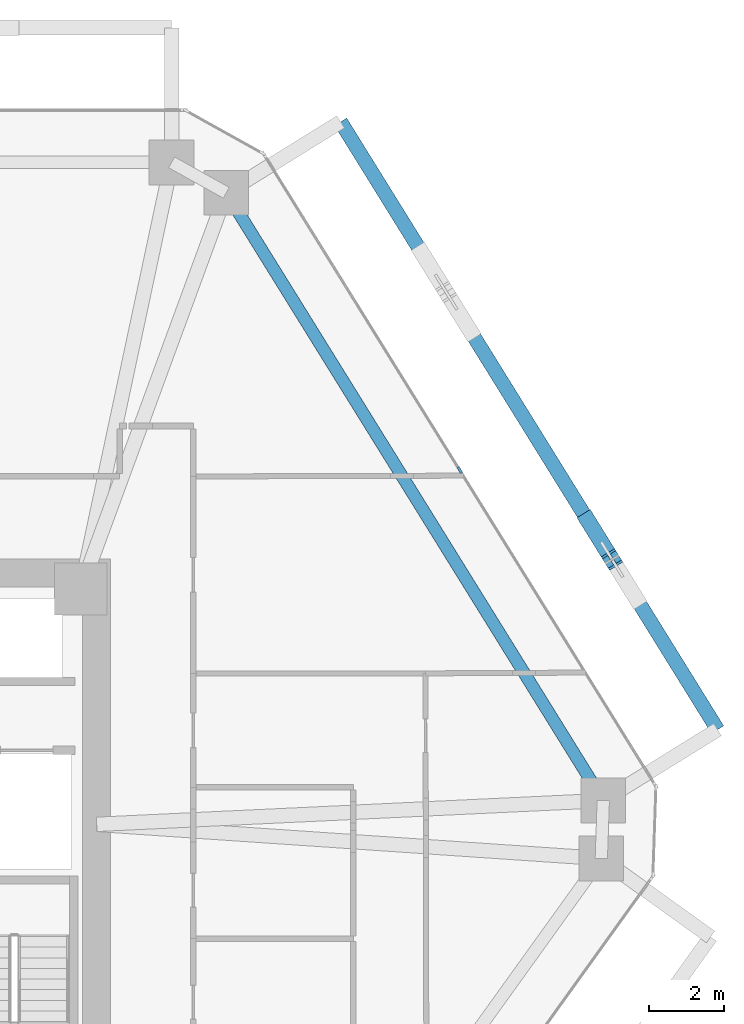
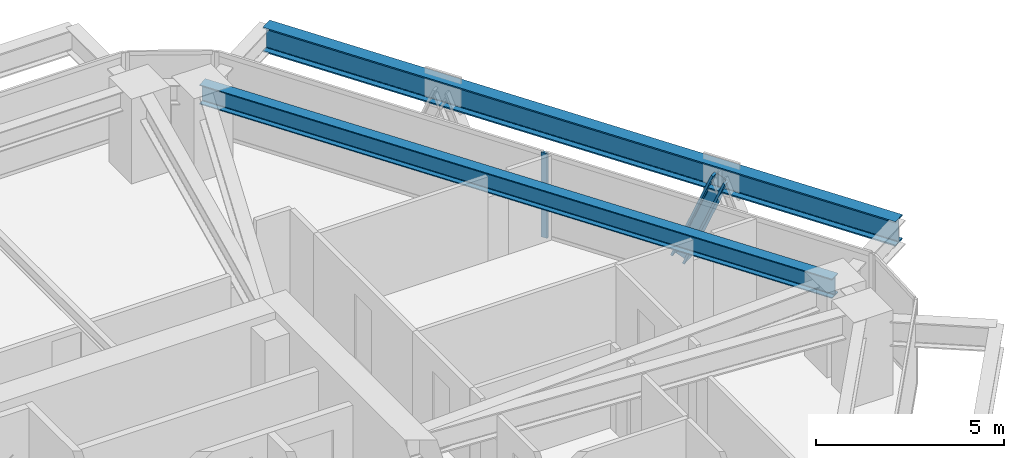
# One storey, part 6 of 17: 2 beams, 2 members, 1 element without a shape of its own.
"""IFC4 building model written with IfcOpenShell, lengths in metres."""

from ifc_helpers import new_model, si_unit, direction, frame, origin, origin_2d, place, context, subcontext, project, spatial, rectangle, i_section, extrude, source, transform, mapped, material, layer, layer_set, material_profile, profile_set, type_object, type_shapes, element, aggregate, save


model = new_model("IFC4")

# Units and contexts
model_context = context("Model", 3, precision=1e-05, world=origin(), true_north=direction((0.0, 1.0)))
body_context = subcontext(model_context, "Body", "Model", "MODEL_VIEW")
ifc_project = project(units=[si_unit("LENGTHUNIT", "METRE"), si_unit("AREAUNIT", "SQUARE_METRE"), si_unit("VOLUMEUNIT", "CUBIC_METRE"), si_unit("PLANEANGLEUNIT", "RADIAN"), si_unit("MASSUNIT", "GRAM", prefix="KILO")], contexts=[model_context])

# Site, building, storey
site_placement = place(None, origin())
site = spatial("IfcSite", under=ifc_project, at=site_placement, CompositionType="ELEMENT")
building_placement = place(site_placement, origin())
building = spatial("IfcBuilding", under=site, at=building_placement, Name="Durnholm Broadcast Tower", CompositionType="ELEMENT")
storey_placement = place(building_placement, frame((0.0, 0.0, 137.10009765625)))
storey = spatial("IfcBuildingStorey", under=building, at=storey_placement, Name="L37", CompositionType="ELEMENT", Elevation=137.10009765625)

# Beams
ifc_material_1 = material(Name="Steel ASTM A992 Grade 50", Category="steel")
ifc_material_profile_1 = material_profile(ifc_material_1, i_section(OverallWidth=0.3291015625, OverallDepth=0.635009765625, WebThickness=0.017822265625, FlangeThickness=0.031005859375, FilletRadius=0.02783203125, at=origin_2d()), Name="W24X162")
ifc_profile_set_1 = profile_set([ifc_material_profile_1], Name="Steel ASTM A992 Grade 50")
beam_type_1 = type_object("IfcBeamType", Name="STL-SP-W24X162", PredefinedType="SPANDREL", material=ifc_profile_set_1)
shared_shape_1 = source(origin(), body_context, "Body", "SweptSolid", [
    extrude(i_section(OverallWidth=0.3291015625, OverallDepth=0.635009765625, WebThickness=0.017822265625, FlangeThickness=0.031005859375, FilletRadius=0.02783203125, at=origin_2d()), origin(), (0.0, 0.0, 1.0), 19.139404296875),
])
type_shapes(beam_type_1, [shared_shape_1])
beam_1_placement = place(storey_placement, frame((13.692138671875, 18.4013671875, 2.427490234375), z_axis=(0.527111038734, -0.84979641847, 0.0), x_axis=(0.84979641847, 0.527111038734, 0.0)))
element("IfcBeam", 1, at=beam_1_placement, inside=storey, type_object=beam_type_1, Name="L37 perimeter spandrel girder 07", PredefinedType="SPANDREL", context=body_context, shape_type="MappedRepresentation", body=[
    mapped(shared_shape_1, transform((0.0, 0.0, 0.0), x_axis=(1.0, 0.0, 0.0), y_axis=(0.0, 1.0, 0.0), z_axis=(0.0, 0.0, 1.0), scale=1.0)),
])
ifc_material_profile_2 = material_profile(ifc_material_1, i_section(OverallWidth=0.385009765625, OverallDepth=0.802978515625, WebThickness=0.023681640625, FlangeThickness=0.0419921875, FilletRadius=0.032958984375, at=origin_2d()), Name="W30X261")
ifc_profile_set_2 = profile_set([ifc_material_profile_2], Name="Steel ASTM A992 Grade 50")
beam_type_2 = type_object("IfcBeamType", Name="BM-EXO-TIE", PredefinedType="USERDEFINED", material=ifc_profile_set_2)
shared_shape_2 = source(origin(), body_context, "Body", "SweptSolid", [
    extrude(i_section(OverallWidth=0.385009765625, OverallDepth=0.802978515625, WebThickness=0.023681640625, FlangeThickness=0.0419921875, FilletRadius=0.032958984375, at=origin_2d()), origin(), (0.0, 0.0, 1.0), 19.139404296875),
])
type_shapes(beam_type_2, [shared_shape_2])
beam_2_placement = place(storey_placement, frame((26.840087890625, 4.0341796875, 2.008544921875), z_axis=(-0.527111038734, 0.84979641847, 0.0), x_axis=(-0.84979641847, -0.527111038734, 0.0)))
element("IfcBeam", 2, at=beam_2_placement, inside=storey, type_object=beam_type_2, Name="L37 exoskeleton collector spandrel F3", PredefinedType="SPANDREL", context=body_context, shape_type="MappedRepresentation", body=[
    mapped(shared_shape_2, transform((0.0, 0.0, 0.0), x_axis=(1.0, 0.0, 0.0), y_axis=(0.0, 1.0, 0.0), z_axis=(0.0, 0.0, 1.0), scale=1.0)),
])

# Member
ifc_material_2 = material(Name="Steel ASTM A913 Grade 65", Category="steel")
ifc_material_profile_3 = material_profile(ifc_material_2, i_section(OverallWidth=0.41845703125, OverallDepth=0.455078125, WebThickness=0.0419921875, FlangeThickness=0.067626953125, FilletRadius=0.030517578125, at=origin_2d()), Name="W14X370")
ifc_profile_set_3 = profile_set([ifc_material_profile_3], Name="Steel ASTM A913 Grade 65")
member_type_1 = type_object("IfcMemberType", Name="STL-DG-W14X370", PredefinedType="BRACE", material=ifc_profile_set_3)
shared_shape_3 = source(origin(), body_context, "Body", "SweptSolid", [
    extrude(i_section(OverallWidth=0.41845703125, OverallDepth=0.455078125, WebThickness=0.0419921875, FlangeThickness=0.067626953125, FilletRadius=0.030517578125, at=origin_2d()), origin(), (0.0, 0.0, 1.0), 3.24365234375),
])
type_shapes(member_type_1, [shared_shape_3])
member_1_placement = place(storey_placement, frame((23.36474609375, 9.63671875, -0.991455078125), z_axis=(0.200504729124, -0.323185925998, 0.924850642447), x_axis=(0.849750220063, 0.527185511469, 0.0)))
element("IfcMember", 3, at=member_1_placement, inside=storey, type_object=member_type_1, Name="L37 stand-off diagrid brace F3.D1.2", PredefinedType="BRACE", context=body_context, shape_type="MappedRepresentation", body=[
    mapped(shared_shape_3, transform((0.0, 0.0, 0.0), x_axis=(1.0, 0.0, 0.0), y_axis=(0.0, 1.0, 0.0), z_axis=(0.0, 0.0, 1.0), scale=1.0)),
])

# Curtain wall, member
ifc_material_3 = material(Name="Aluminium and Solar Control IGU", Category="aluminium")
ifc_layer = layer(ifc_material_3, 0.18994140625)
ifc_layer_set = layer_set([ifc_layer], Name="Aluminium and Solar Control IGU")
curtain_wall_type = type_object("IfcCurtainWallType", Name="CW-SYS-3", PredefinedType="NOTDEFINED", material=ifc_layer_set)
curtain_wall_placement = place(storey_placement, origin())
curtain_wall = element("IfcCurtainWall", 4, at=curtain_wall_placement, inside=storey, type_object=curtain_wall_type, Name="L37 curtain wall CW-Z12-VIS CW-L37-F06", PredefinedType="NOTDEFINED")
ifc_material_4 = material(Name="Aluminium 6063-T6", Category="aluminium")
ifc_material_profile_4 = material_profile(ifc_material_4, rectangle(XDim=0.070068359375, YDim=0.18994140625, at=origin_2d()), Name="CWM70X190")
ifc_profile_set_4 = profile_set([ifc_material_profile_4], Name="Aluminium 6063-T6")
member_type_2 = type_object("IfcMemberType", Name="CW-SYS-3-MUL", PredefinedType="MULLION", material=ifc_profile_set_4)
shared_shape_4 = source(origin(), body_context, "Body", "SweptSolid", [
    extrude(rectangle(XDim=0.070068359375, YDim=0.18994140625, at=origin_2d()), origin(), (0.0, 0.0, 1.0), 2.760009765625),
])
type_shapes(member_type_2, [shared_shape_4])
member_2_placement = place(storey_placement, frame((19.9423828125, 10.980712890625, 0.0), z_axis=(0.0, 0.0, 1.0), x_axis=(0.849799925229, 0.527105385176, 0.0)))
member_2 = element("IfcMember", 5, at=member_2_placement, type_object=member_type_2, Name="CW-Z12-VIS mullion 2", PredefinedType="MULLION", context=body_context, shape_type="MappedRepresentation", body=[
    mapped(shared_shape_4, transform((0.0, 0.0, 0.0), x_axis=(1.0, 0.0, 0.0), y_axis=(0.0, 1.0, 0.0), z_axis=(0.0, 0.0, 1.0), scale=1.0)),
])
aggregate(curtain_wall, [member_2])

save(model, "model.ifc")
